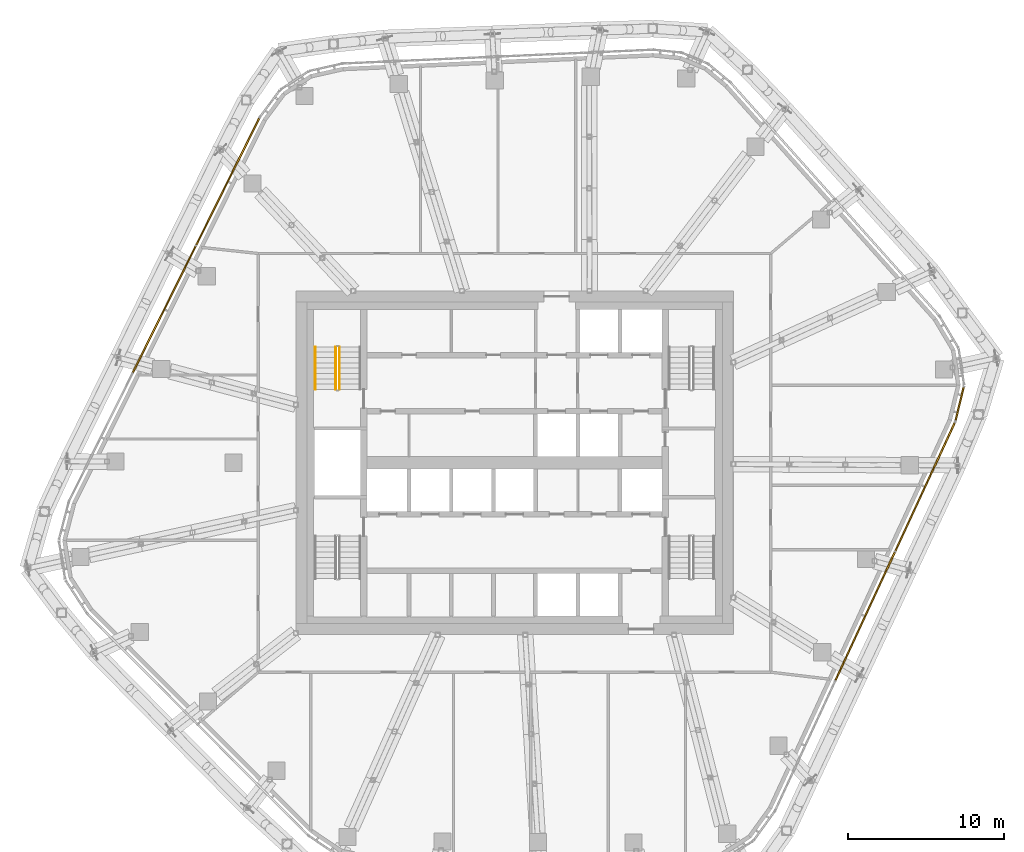
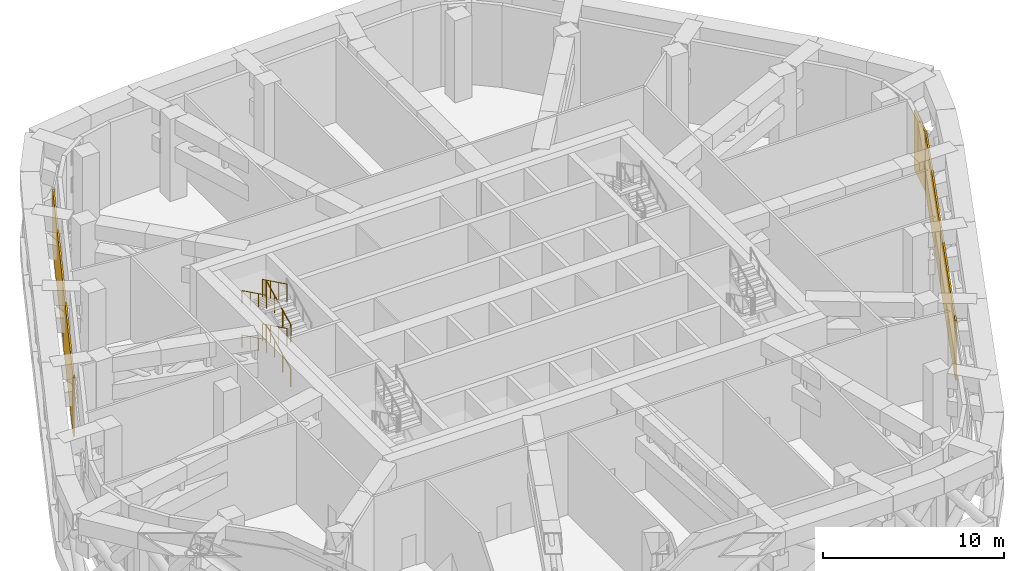
# One storey, part 28 of 31: 6 railings, 5 coverings, 3 elements without a shape of their own.
"""IFC4 building model written with IfcOpenShell, lengths in metres."""

from ifc_helpers import new_model, si_unit, direction, frame, origin, origin_2d, place, context, subcontext, project, spatial, rectangle, circle, extrude, material, layer, layer_set, type_object, element, aggregate, save


model = new_model("IFC4")

# Units and contexts
model_context = context("Model", 3, precision=1e-05, world=origin(), true_north=direction((0.0, 1.0)))
body_context = subcontext(model_context, "Body", "Model", "MODEL_VIEW")
ifc_project = project(units=[si_unit("LENGTHUNIT", "METRE"), si_unit("AREAUNIT", "SQUARE_METRE"), si_unit("VOLUMEUNIT", "CUBIC_METRE"), si_unit("PLANEANGLEUNIT", "RADIAN"), si_unit("MASSUNIT", "GRAM", prefix="KILO")], contexts=[model_context])

# Site, building, storey
site_placement = place(None, origin())
site = spatial("IfcSite", under=ifc_project, at=site_placement, CompositionType="ELEMENT")
building_placement = place(site_placement, origin())
building = spatial("IfcBuilding", under=site, at=building_placement, Name="Dongbaek Canopy Tower", CompositionType="ELEMENT")
storey_placement = place(building_placement, frame((0.0, 0.0, 283.199951171875)))
storey = spatial("IfcBuildingStorey", under=building, at=storey_placement, Name="L60", CompositionType="ELEMENT", Elevation=283.199951171875)

# Curtain wall, covering
ifc_material_1 = material(Name="Aluminium 6063-T6 pale anodised", Category="aluminium")
ifc_layer_1 = layer(ifc_material_1, 0.14990234375)
ifc_layer_set_1 = layer_set([ifc_layer_1], Name="CW-7 louvre curtain wall")
curtain_wall_type = type_object("IfcCurtainWallType", Name="CW-7 louvre curtain wall", PredefinedType="NOTDEFINED", material=ifc_layer_set_1)
curtain_wall_1_placement = place(storey_placement, origin())
curtain_wall_1 = element("IfcCurtainWall", 1, at=curtain_wall_1_placement, inside=storey, type_object=curtain_wall_type, Name="CW-7 louvre wall L60 K0", PredefinedType="NOTDEFINED")
ifc_material_2 = material(Name="Aluminium 6063-T6 pale metal louvre blades", Category="aluminium")
ifc_layer_2 = layer(ifc_material_2, 0.10009765625)
ifc_layer_set_2 = layer_set([ifc_layer_2], Name="Louvre LV bank 100 x 4000")
covering_type = type_object("IfcCoveringType", Name="Louvre LV bank 100 x 4000", PredefinedType="CLADDING", material=ifc_layer_set_2)
covering_1_placement = place(storey_placement, frame((28.49072265625, 3.777099609375, 0.775146484375), z_axis=(0.0, 0.0, 1.0), x_axis=(0.237563534097, 0.971372002514, 0.0)))
covering_1 = element("IfcCovering", 2, at=covering_1_placement, type_object=covering_type, Name="Louvre L60 K0.1.1", PredefinedType="CLADDING", context=body_context, shape_type="SweptSolid", body=[
    extrude(rectangle(XDim=2.193115234375, YDim=0.10009765625, at=origin_2d()), origin(), (0.0, 0.0, 1.0), 4.0),
])
aggregate(curtain_wall_1, [covering_1])

# Curtain wall, coverings
curtain_wall_2_placement = place(storey_placement, origin())
curtain_wall_2 = element("IfcCurtainWall", 3, at=curtain_wall_2_placement, inside=storey, type_object=curtain_wall_type, Name="CW-7 louvre wall L60 F2", PredefinedType="NOTDEFINED")
covering_2_placement = place(storey_placement, frame((-18.35888671875, 18.00390625, 0.775146484375), z_axis=(0.0, 0.0, 1.0), x_axis=(-0.444962031451, -0.895549435021, 0.0)))
covering_2 = element("IfcCovering", 4, at=covering_2_placement, type_object=covering_type, Name="Louvre L60 F2.1.1", PredefinedType="CLADDING", context=body_context, shape_type="SweptSolid", body=[
    extrude(rectangle(XDim=9.04443359375, YDim=0.10009765625, at=origin_2d()), origin(), (0.0, 0.0, 1.0), 4.0),
])
covering_3_placement = place(storey_placement, frame((-22.42333984375, 9.823486328125, 0.775146484375), z_axis=(0.0, 0.0, 1.0), x_axis=(-0.444962031451, -0.895549435021, 0.0)))
covering_3 = element("IfcCovering", 5, at=covering_3_placement, type_object=covering_type, Name="Louvre L60 F2.1.2", PredefinedType="CLADDING", context=body_context, shape_type="SweptSolid", body=[
    extrude(rectangle(XDim=9.04443359375, YDim=0.10009765625, at=origin_2d()), origin(), (0.0, 0.0, 1.0), 4.0),
])
aggregate(curtain_wall_2, [covering_2, covering_3])

curtain_wall_3_placement = place(storey_placement, origin())
curtain_wall_3 = element("IfcCurtainWall", 6, at=curtain_wall_3_placement, inside=storey, type_object=curtain_wall_type, Name="CW-7 louvre wall L60 F5", PredefinedType="NOTDEFINED")
covering_4_placement = place(storey_placement, frame((22.4404296875, -9.823974609375, 0.775146484375), z_axis=(0.0, 0.0, 1.0), x_axis=(0.420299890907, 0.907385255392, 0.0)))
covering_4 = element("IfcCovering", 7, at=covering_4_placement, type_object=covering_type, Name="Louvre L60 F5.1.2", PredefinedType="CLADDING", context=body_context, shape_type="SweptSolid", body=[
    extrude(rectangle(XDim=9.041259765625, YDim=0.10009765625, at=origin_2d()), origin(), (0.0, 0.0, 1.0), 4.0),
])
covering_5_placement = place(storey_placement, frame((26.2783203125, -1.53857421875, 0.775146484375), z_axis=(0.0, 0.0, 1.0), x_axis=(0.420299890907, 0.907385255392, 0.0)))
covering_5 = element("IfcCovering", 8, at=covering_5_placement, type_object=covering_type, Name="Louvre L60 F5.1.3", PredefinedType="CLADDING", context=body_context, shape_type="SweptSolid", body=[
    extrude(rectangle(XDim=9.041259765625, YDim=0.10009765625, at=origin_2d()), origin(), (0.0, 0.0, 1.0), 4.0),
])
aggregate(curtain_wall_3, [covering_4, covering_5])

# Railings
ifc_material_3 = material(Name="Stainless steel tube and balusters", Category="steel")
railing_type_1 = type_object("IfcRailingType", Name="Stair guard 1200", PredefinedType="GUARDRAIL", material=ifc_material_3)
railing_1_placement = place(storey_placement, frame((-11.199951171875, 4.699951171875, 0.166748046875)))
element("IfcRailing", 9, at=railing_1_placement, inside=storey, type_object=railing_type_1, Name="L60 ST-C stair guard 1", PredefinedType="GUARDRAIL", context=body_context, shape_type="SweptSolid", body=[
    extrude(circle(Radius=0.02392578125, at=origin_2d()), frame((0.0, 0.0, 1.17578125), z_axis=(0.0, 0.897929466783, 0.4401393787), x_axis=(-1.0, 0.0, 0.0)), (0.0, 0.0, 1.0), 3.029052734375),
    extrude(circle(Radius=0.02099609375, at=origin_2d()), origin(), (0.0, 0.0, 1.0), 1.15185546875),
    extrude(circle(Radius=0.02099609375, at=origin_2d()), frame((0.0, 0.90673828125, 0.4443359375)), (0.0, 0.0, 1.0), 1.15185546875),
    extrude(circle(Radius=0.02099609375, at=origin_2d()), frame((0.0, 1.813232421875, 0.888916015625)), (0.0, 0.0, 1.0), 1.15185546875),
    extrude(circle(Radius=0.02099609375, at=origin_2d()), frame((0.0, 2.719970703125, 1.333251953125)), (0.0, 0.0, 1.0), 1.15185546875),
])
railing_2_placement = place(storey_placement, frame((-11.449951171875, 7.419921875, 1.666748046875)))
element("IfcRailing", 10, at=railing_2_placement, inside=storey, type_object=railing_type_1, Name="L60 ST-C stair guard 3", PredefinedType="GUARDRAIL", context=body_context, shape_type="SweptSolid", body=[
    extrude(circle(Radius=0.02392578125, at=origin_2d()), frame((0.0, 0.0, 1.17578125), z_axis=(0.0, -0.897929466783, 0.4401393787), x_axis=(1.0, 0.0, 0.0)), (0.0, 0.0, 1.0), 3.029052734375),
    extrude(circle(Radius=0.02099609375, at=origin_2d()), origin(), (0.0, 0.0, 1.0), 1.15185546875),
    extrude(circle(Radius=0.02099609375, at=origin_2d()), frame((0.0, -0.90673828125, 0.4443359375)), (0.0, 0.0, 1.0), 1.15185546875),
    extrude(circle(Radius=0.02099609375, at=origin_2d()), frame((0.0, -1.813232421875, 0.888916015625)), (0.0, 0.0, 1.0), 1.15185546875),
    extrude(circle(Radius=0.02099609375, at=origin_2d()), frame((0.0, -2.719970703125, 1.333251953125)), (0.0, 0.0, 1.0), 1.15185546875),
])
railing_3_placement = place(storey_placement, frame((-11.199951171875, 4.699951171875, 3.166748046875)))
element("IfcRailing", 11, at=railing_3_placement, inside=storey, type_object=railing_type_1, Name="L60 ST-C stair guard 5", PredefinedType="GUARDRAIL", context=body_context, shape_type="SweptSolid", body=[
    extrude(circle(Radius=0.02392578125, at=origin_2d()), frame((0.0, 0.0, 1.17578125), z_axis=(0.0, 0.897929466783, 0.4401393787), x_axis=(-1.0, 0.0, 0.0)), (0.0, 0.0, 1.0), 3.029052734375),
    extrude(circle(Radius=0.02099609375, at=origin_2d()), origin(), (0.0, 0.0, 1.0), 1.15185546875),
    extrude(circle(Radius=0.02099609375, at=origin_2d()), frame((0.0, 0.90673828125, 0.4443359375)), (0.0, 0.0, 1.0), 1.15185546875),
    extrude(circle(Radius=0.02099609375, at=origin_2d()), frame((0.0, 1.813232421875, 0.888916015625)), (0.0, 0.0, 1.0), 1.15185546875),
    extrude(circle(Radius=0.02099609375, at=origin_2d()), frame((0.0, 2.719970703125, 1.333251953125)), (0.0, 0.0, 1.0), 1.15185546875),
])
railing_4_placement = place(storey_placement, frame((-11.449951171875, 7.419921875, 4.666748046875)))
element("IfcRailing", 12, at=railing_4_placement, inside=storey, type_object=railing_type_1, Name="L60 ST-C stair guard 7", PredefinedType="GUARDRAIL", context=body_context, shape_type="SweptSolid", body=[
    extrude(circle(Radius=0.02392578125, at=origin_2d()), frame((0.0, 0.0, 1.17578125), z_axis=(0.0, -0.897929466783, 0.4401393787), x_axis=(1.0, 0.0, 0.0)), (0.0, 0.0, 1.0), 3.029052734375),
    extrude(circle(Radius=0.02099609375, at=origin_2d()), origin(), (0.0, 0.0, 1.0), 1.15185546875),
    extrude(circle(Radius=0.02099609375, at=origin_2d()), frame((0.0, -0.90673828125, 0.4443359375)), (0.0, 0.0, 1.0), 1.15185546875),
    extrude(circle(Radius=0.02099609375, at=origin_2d()), frame((0.0, -1.813232421875, 0.888916015625)), (0.0, 0.0, 1.0), 1.15185546875),
    extrude(circle(Radius=0.02099609375, at=origin_2d()), frame((0.0, -2.719970703125, 1.333251953125)), (0.0, 0.0, 1.0), 1.15185546875),
])
ifc_material_4 = material(Name="Stainless steel tube", Category="steel")
railing_type_2 = type_object("IfcRailingType", Name="Stair handrail 900", PredefinedType="HANDRAIL", material=ifc_material_4)
for number, where, name in (
    (13, (-12.75, 7.419921875, 1.666748046875), "L60 ST-C stair handrail 2"),
    (14, (-12.75, 7.419921875, 4.666748046875), "L60 ST-C stair handrail 4"),
):
    element("IfcRailing", number, at=place(storey_placement, frame(where)), inside=storey, type_object=railing_type_2, Name=name, PredefinedType="HANDRAIL", context=body_context, shape_type="SweptSolid", body=[
        extrude(circle(Radius=0.02392578125, at=origin_2d()), frame((0.0, 0.0, 0.8759765625), z_axis=(0.0, -0.897929466783, 0.4401393787), x_axis=(1.0, 0.0, 0.0)), (0.0, 0.0, 1.0), 3.029052734375),
        extrude(circle(Radius=0.02099609375, at=origin_2d()), origin(), (0.0, 0.0, 1.0), 0.851806640625),
        extrude(circle(Radius=0.02099609375, at=origin_2d()), frame((0.0, -0.90673828125, 0.4443359375)), (0.0, 0.0, 1.0), 0.851806640625),
        extrude(circle(Radius=0.02099609375, at=origin_2d()), frame((0.0, -1.813232421875, 0.888916015625)), (0.0, 0.0, 1.0), 0.851806640625),
        extrude(circle(Radius=0.02099609375, at=origin_2d()), frame((0.0, -2.719970703125, 1.333251953125)), (0.0, 0.0, 1.0), 0.851806640625),
    ])

save(model, "model.ifc")
